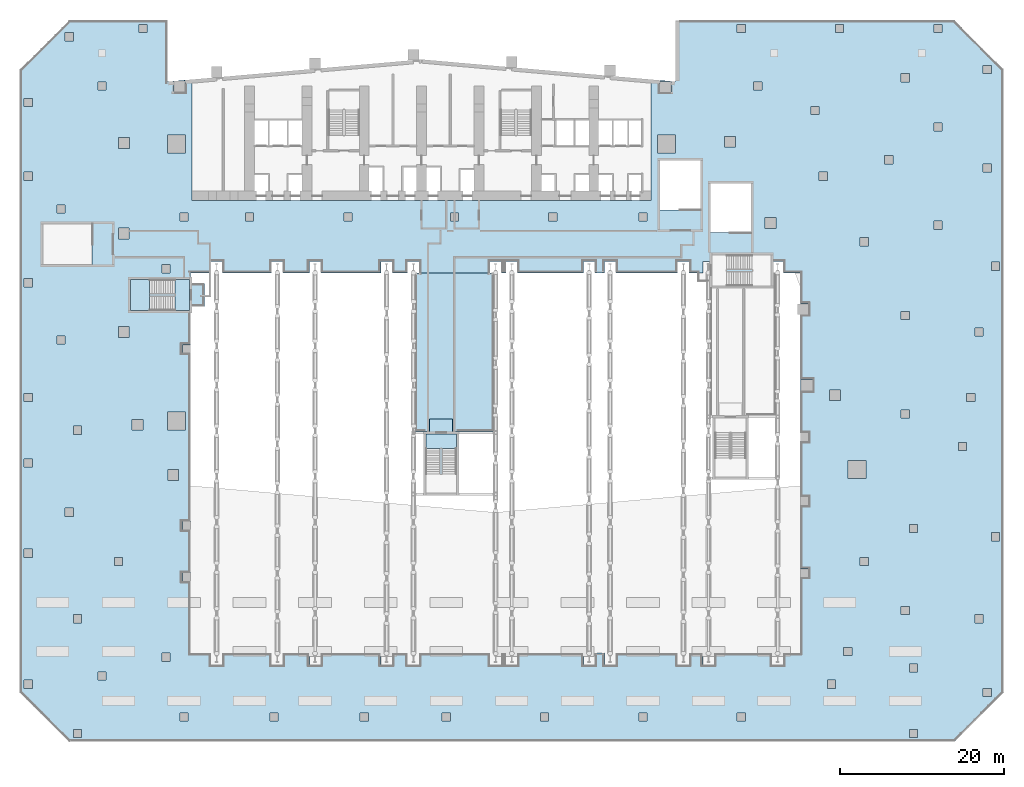
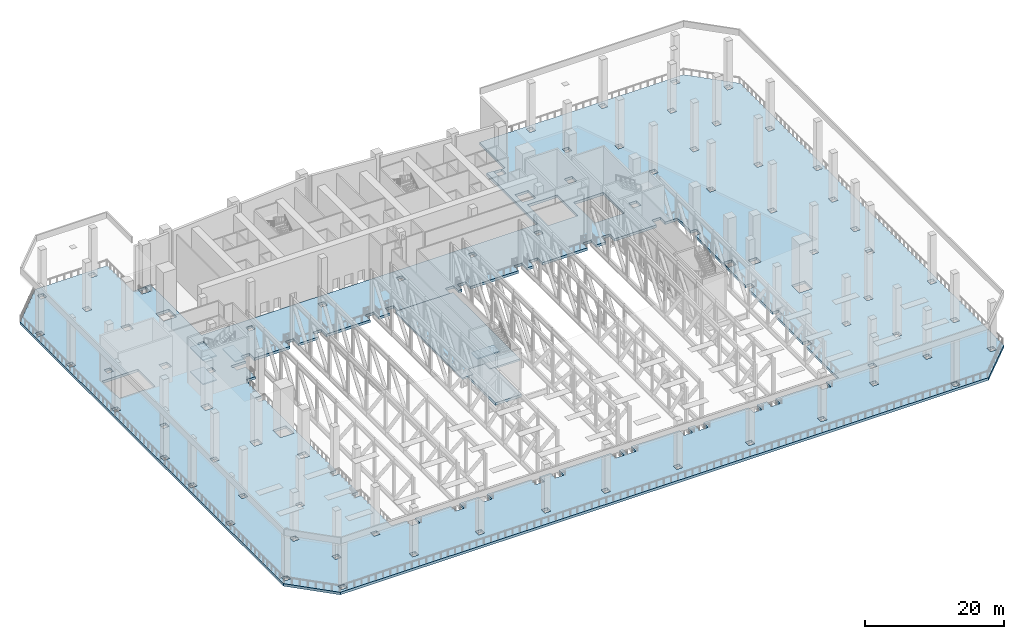
# One storey, part 7 of 33: 7 slabs, 2 elements without a shape of their own.
"""IFC4 building model written with IfcOpenShell, lengths in metres."""

from ifc_helpers import new_model, si_unit, direction, frame, origin, place, context, subcontext, project, spatial, polyline, outline, extrude, material, layer, layer_set, type_object, element, aggregate, save


model = new_model("IFC4")

# Units and contexts
model_context = context("Model", 3, precision=1e-05, world=origin(), true_north=direction((0.0, 1.0)))
body_context = subcontext(model_context, "Body", "Model", "MODEL_VIEW")
ifc_project = project(units=[si_unit("LENGTHUNIT", "METRE"), si_unit("AREAUNIT", "SQUARE_METRE"), si_unit("VOLUMEUNIT", "CUBIC_METRE"), si_unit("PLANEANGLEUNIT", "RADIAN"), si_unit("MASSUNIT", "GRAM", prefix="KILO")], contexts=[model_context])

# Site, building, storey
site_placement = place(None, origin())
site = spatial("IfcSite", under=ifc_project, at=site_placement, CompositionType="ELEMENT")
building_placement = place(site_placement, origin())
building = spatial("IfcBuilding", under=site, at=building_placement, Name="Wharfspan Tower", CompositionType="ELEMENT")
storey_placement = place(building_placement, frame((0.0, 0.0, 33.0)))
storey = spatial("IfcBuildingStorey", under=building, at=storey_placement, Name="L05", CompositionType="ELEMENT", Elevation=33.0)

# Slabs
ifc_material_1 = material(Name="Concrete C35/45", Category="concrete")
ifc_layer_1 = layer(ifc_material_1, 0.300049)
ifc_layer_set_1 = layer_set([ifc_layer_1], Name="Concrete C35/45")
slab_type_1 = type_object("IfcSlabType", Name="Corridor floor slab 300", PredefinedType="FLOOR", material=ifc_layer_set_1)
slab_1_placement = place(storey_placement, frame((0.0, 0.0, -0.300049)))
element("IfcSlab", 1, at=slab_1_placement, inside=storey, type_object=slab_type_1, Name="Corridor floor PC4", PredefinedType="FLOOR", context=body_context, shape_type="SweptSolid", body=[
    extrude(outline(polyline([(36.199951, 25.199951), (45.842041, 25.199951), (45.842041, 5.860596), (41.560303, 5.860596), (41.560303, 5.86084), (41.560303, 5.861084), (41.560303, 5.861084), (41.560059, 5.861328), (41.560059, 5.861572), (41.560059, 5.861816), (41.559814, 5.861816), (41.559814, 5.862061), (41.55957, 5.862061), (41.559326, 5.862305), (41.559082, 5.862305), (41.559082, 5.862305), (41.558838, 5.862549), (41.558594, 5.862549), (41.558594, 5.862549), (41.55835, 5.862549), (40.7854, 5.862549), (40.7854, 7.360596), (40.7854, 7.36084), (40.7854, 7.361084), (40.785156, 7.361084), (40.785156, 7.361328), (40.785156, 7.361572), (40.784912, 7.361816), (40.784912, 7.361816), (40.784668, 7.362061), (40.784668, 7.362061), (40.784424, 7.362305), (40.78418, 7.362305), (40.78418, 7.362305), (40.783936, 7.362549), (40.783691, 7.362549), (40.783447, 7.362549), (40.783203, 7.362549), (37.983398, 7.362549), (37.983154, 7.362549), (37.98291, 7.362549), (37.982666, 7.362549), (37.982422, 7.362305), (37.982422, 7.362305), (37.982178, 7.362305), (37.981934, 7.362061), (37.981934, 7.362061), (37.981689, 7.361816), (37.981689, 7.361816), (37.981445, 7.361572), (37.981445, 7.361328), (37.981445, 7.361084), (37.981201, 7.361084), (37.981201, 7.36084), (37.981201, 7.360596), (37.981201, 5.862549), (37.208252, 5.862549), (37.208008, 5.862549), (37.208008, 5.862549), (37.207764, 5.862549), (37.20752, 5.862305), (37.20752, 5.862305), (37.207275, 5.862305), (37.207031, 5.862061), (37.206787, 5.862061), (37.206787, 5.861816), (37.206543, 5.861816), (37.206543, 5.861572), (37.206543, 5.861328), (37.206299, 5.861084), (37.206299, 5.861084), (37.206299, 5.86084), (37.206299, 5.860596), (36.199951, 5.860596), (36.199951, 25.199951)])), origin(), (0.0, 0.0, 1.0), 0.300049),
])
ifc_layer_2 = layer(ifc_material_1, 0.449951)
ifc_layer_set_2 = layer_set([ifc_layer_2], Name="Concrete C35/45")
slab_type_2 = type_object("IfcSlabType", Name="Podium deck 450", PredefinedType="FLOOR", material=ifc_layer_set_2)
slab_2_placement = place(storey_placement, frame((0.0, 0.0, -0.450195)))
element("IfcSlab", 2, at=slab_2_placement, inside=storey, type_object=slab_type_2, Name="Deck L05", PredefinedType="FLOOR", context=body_context, shape_type="SweptSolid", body=[
    extrude(outline(polyline([(6.0, 56.0), (6.0, 48.524902), (12.0, 49.049805), (12.0, 49.049805), (9.0, 48.787354), (9.0, 34.0), (65.0, 34.0), (65.0, 48.787354), (60.0, 49.224854), (60.0, 49.224854), (68.0, 48.524902), (68.0, 56.0), (102.0, 56.0), (108.0, 50.0), (108.0, -26.0), (102.0, -32.0), (-6.0, -32.0), (-12.0, -26.0), (-12.0, 50.0), (-6.0, 56.0), (6.0, 56.0)]), holes=[polyline([(8.800049, 25.199951), (11.300049, 25.199951), (11.300049, 26.600098), (12.699951, 26.600098), (12.699951, 25.199951), (18.690918, 25.199951), (18.690918, 26.600098), (20.091064, 26.600098), (20.091064, 25.199951), (23.300049, 25.199951), (23.300049, 26.600098), (24.699951, 26.600098), (24.699951, 25.199951), (32.023926, 25.199951), (32.023926, 26.600098), (33.424072, 26.600098), (33.424072, 25.199951), (35.300049, 25.199951), (35.300049, 26.600098), (36.699951, 26.600098), (36.699951, 25.199951), (45.342041, 25.199951), (45.342041, 26.600098), (46.741943, 26.600098), (46.741943, 25.199951), (47.300049, 25.199951), (47.300049, 26.600098), (48.699951, 26.600098), (48.699951, 25.199951), (56.741943, 25.199951), (56.741943, 26.600098), (58.14209, 26.600098), (58.14209, 25.199951), (59.300049, 25.199951), (59.300049, 26.600098), (60.699951, 26.600098), (60.699951, 25.199951), (68.241943, 25.199951), (68.241943, 26.600098), (69.64209, 26.600098), (69.64209, 25.199951), (71.300049, 25.199951), (71.300049, 26.600098), (72.699951, 26.600098), (72.699951, 25.199951), (79.741943, 25.199951), (79.741943, 26.600098), (81.14209, 26.600098), (81.14209, 25.199951), (83.199951, 25.199951), (83.199951, 21.428223), (84.166992, 21.428223), (84.166992, 20.108398), (83.199951, 20.108398), (83.199951, 5.639893), (84.199951, 5.639893), (84.199951, 4.639893), (83.199951, 4.639893), (83.199951, -2.139893), (84.199951, -2.139893), (84.199951, -3.139893), (83.199951, -3.139893), (83.199951, -10.919922), (84.199951, -10.919922), (84.199951, -11.919922), (83.199951, -11.919922), (83.199951, -21.199951), (81.14209, -21.199951), (81.14209, -22.600098), (79.741943, -22.600098), (79.741943, -21.199951), (72.699951, -21.199951), (72.699951, -22.600098), (71.300049, -22.600098), (71.300049, -21.199951), (69.64209, -21.199951), (69.64209, -22.600098), (68.241943, -22.600098), (68.241943, -21.199951), (60.699951, -21.199951), (60.699951, -22.600098), (59.300049, -22.600098), (59.300049, -21.199951), (58.14209, -21.199951), (58.14209, -22.600098), (56.741943, -22.600098), (56.741943, -21.199951), (48.699951, -21.199951), (48.699951, -22.600098), (47.300049, -22.600098), (47.300049, -21.199951), (46.741943, -21.199951), (46.741943, -22.600098), (45.342041, -22.600098), (45.342041, -21.199951), (36.699951, -21.199951), (36.699951, -22.600098), (35.300049, -22.600098), (35.300049, -21.199951), (33.424072, -21.199951), (33.424072, -22.600098), (32.023926, -22.600098), (32.023926, -21.199951), (24.699951, -21.199951), (24.699951, -22.600098), (23.300049, -22.600098), (23.300049, -21.199951), (20.091064, -21.199951), (20.091064, -22.600098), (18.690918, -22.600098), (18.690918, -21.199951), (12.699951, -21.199951), (12.699951, -22.600098), (11.300049, -22.600098), (11.300049, -21.199951), (8.800049, -21.199951), (8.800049, -12.419922), (7.800049, -12.419922), (7.800049, -11.419922), (8.800049, -11.419922), (8.800049, -6.139893), (7.800049, -6.139893), (7.800049, -5.139893), (8.800049, -5.139893), (8.800049, 15.419922), (7.800049, 15.419922), (7.800049, 16.419922), (8.800049, 16.419922), (8.800049, 20.324951), (9.0, 20.324951), (9.0, 21.100098), (10.5, 21.100098), (10.5, 23.899902), (9.0, 23.899902), (9.0, 24.675049), (8.800049, 24.675049), (8.800049, 25.199951)]), polyline([(-3.199951, 26.225098), (-3.199951, 31.175049), (-9.199951, 31.175049), (-9.199951, 26.225098), (-3.199951, 26.225098)]), polyline([(72.217529, 30.100098), (77.16748, 30.100098), (77.16748, 36.100098), (72.217529, 36.100098), (72.217529, 30.100098)]), polyline([(66.100098, 32.899902), (71.050049, 32.899902), (71.050049, 38.899902), (66.100098, 38.899902), (66.100098, 32.899902)]), polyline([(-5.5, -31.5), (-4.5, -31.5), (-4.5, -30.5), (-5.5, -30.5), (-5.5, -31.5)]), polyline([(-11.5, -24.5), (-11.5, -25.5), (-10.5, -25.5), (-10.5, -24.5), (-11.5, -24.5)]), polyline([(-2.5, -23.5), (-2.5, -24.5), (-1.5, -24.5), (-1.5, -23.5), (-2.5, -23.5)]), polyline([(5.300049, -21.199951), (5.300049, -22.199951), (6.300049, -22.199951), (6.300049, -21.199951), (5.300049, -21.199951)]), polyline([(-5.5, -16.5), (-5.5, -17.5), (-4.5, -17.5), (-4.5, -16.5), (-5.5, -16.5)]), polyline([(-0.5, -9.5), (-0.5, -10.5), (0.5, -10.5), (0.5, -9.5), (-0.5, -9.5)]), polyline([(-11.5, -8.5), (-11.5, -9.5), (-10.5, -9.5), (-10.5, -8.5), (-11.5, -8.5)]), polyline([(-6.5, -4.5), (-5.5, -4.5), (-5.5, -3.5), (-6.5, -3.5), (-6.5, -4.5)]), polyline([(6.034424, 1.188721), (6.034424, -0.131348), (7.354492, -0.131348), (7.354492, 1.188721), (6.034424, 1.188721)]), polyline([(-11.5, 2.5), (-11.5, 1.5), (-10.5, 1.5), (-10.5, 2.5), (-11.5, 2.5)]), polyline([(-5.5, 6.5), (-5.5, 5.5), (-4.5, 5.5), (-4.5, 6.5), (-5.5, 6.5)]), polyline([(1.671631, 7.327393), (1.671631, 6.007324), (2.991699, 6.007324), (2.991699, 7.327393), (1.671631, 7.327393)]), polyline([(6.0, 8.199951), (6.0, 6.0), (8.199951, 6.0), (8.199951, 8.199951), (6.0, 8.199951)]), polyline([(-11.5, 10.5), (-11.5, 9.5), (-10.5, 9.5), (-10.5, 10.5), (-11.5, 10.5)]), polyline([(-7.5, 16.5), (-6.5, 16.5), (-6.5, 17.5), (-7.5, 17.5), (-7.5, 16.5)]), polyline([(0.0, 18.659912), (0.0, 17.340088), (1.320068, 17.340088), (1.320068, 18.659912), (0.0, 18.659912)]), polyline([(-11.5, 24.5), (-11.5, 23.5), (-10.5, 23.5), (-10.5, 24.5), (-11.5, 24.5)]), polyline([(5.300049, 26.199951), (5.300049, 25.199951), (6.300049, 25.199951), (6.300049, 26.199951), (5.300049, 26.199951)]), polyline([(0.0, 30.659912), (0.0, 29.340088), (1.320068, 29.340088), (1.320068, 30.659912), (0.0, 30.659912)]), polyline([(7.5, 32.5), (7.5, 31.5), (8.5, 31.5), (8.5, 32.5), (7.5, 32.5)]), polyline([(-7.5, 33.5), (-7.5, 32.5), (-6.5, 32.5), (-6.5, 33.5), (-7.5, 33.5)]), polyline([(-11.5, 36.5), (-10.5, 36.5), (-10.5, 37.5), (-11.5, 37.5), (-11.5, 36.5)]), polyline([(6.0, 42.0), (6.0, 39.800049), (8.199951, 39.800049), (8.199951, 42.0), (6.0, 42.0)]), polyline([(0.024902, 41.694092), (0.024902, 40.374268), (1.344727, 40.374268), (1.344727, 41.694092), (0.024902, 41.694092)]), polyline([(-11.5, 46.5), (-11.5, 45.5), (-10.5, 45.5), (-10.5, 46.5), (-11.5, 46.5)]), polyline([(6.806396, 48.59375), (6.806396, 47.273682), (8.126465, 47.273682), (8.126465, 48.59375), (6.806396, 48.59375)]), polyline([(-2.5, 48.5), (-2.5, 47.5), (-1.5, 47.5), (-1.5, 48.5), (-2.5, 48.5)]), polyline([(-6.5, 54.5), (-6.5, 53.5), (-5.5, 53.5), (-5.5, 54.5), (-6.5, 54.5)]), polyline([(2.5, 54.5), (3.5, 54.5), (3.5, 55.5), (2.5, 55.5), (2.5, 54.5)]), polyline([(7.5, -28.5), (7.5, -29.5), (8.5, -29.5), (8.5, -28.5), (7.5, -28.5)]), polyline([(51.5, -28.5), (51.5, -29.5), (52.5, -29.5), (52.5, -28.5), (51.5, -28.5)]), polyline([(39.5, -28.5), (39.5, -29.5), (40.5, -29.5), (40.5, -28.5), (39.5, -28.5)]), polyline([(18.5, -28.5), (18.5, -29.5), (19.5, -29.5), (19.5, -28.5), (18.5, -28.5)]), polyline([(29.5, -28.5), (29.5, -29.5), (30.5, -29.5), (30.5, -28.5), (29.5, -28.5)]), polyline([(27.5, 32.5), (27.5, 31.5), (28.5, 31.5), (28.5, 32.5), (27.5, 32.5)]), polyline([(15.5, 32.5), (15.5, 31.5), (16.5, 31.5), (16.5, 32.5), (15.5, 32.5)]), polyline([(40.5, 32.5), (40.5, 31.5), (41.5, 31.5), (41.5, 32.5), (40.5, 32.5)]), polyline([(75.5, -28.5), (75.5, -29.5), (76.5, -29.5), (76.5, -28.5), (75.5, -28.5)]), polyline([(63.5, -28.5), (63.5, -29.5), (64.5, -29.5), (64.5, -28.5), (63.5, -28.5)]), polyline([(86.5, -24.5), (86.5, -25.5), (87.5, -25.5), (87.5, -24.5), (86.5, -24.5)]), polyline([(83.300049, 12.199951), (83.300049, 10.800049), (84.699951, 10.800049), (84.699951, 12.199951), (83.300049, 12.199951)]), polyline([(78.909424, 31.928223), (78.909424, 30.608398), (80.229492, 30.608398), (80.229492, 31.928223), (78.909424, 31.928223)]), polyline([(52.5, 31.5), (53.5, 31.5), (53.5, 32.5), (52.5, 32.5), (52.5, 31.5)]), polyline([(63.5, 32.5), (63.5, 31.5), (64.5, 31.5), (64.5, 32.5), (63.5, 32.5)]), polyline([(85.5, 37.5), (85.5, 36.5), (86.5, 36.5), (86.5, 37.5), (85.5, 37.5)]), polyline([(65.800049, 42.0), (65.800049, 39.800049), (68.0, 39.800049), (68.0, 42.0), (65.800049, 42.0)]), polyline([(73.974365, 41.856201), (73.974365, 40.536377), (75.294434, 40.536377), (75.294434, 41.856201), (73.974365, 41.856201)]), polyline([(84.5, 45.5), (84.5, 44.5), (85.5, 44.5), (85.5, 45.5), (84.5, 45.5)]), polyline([(66.087646, 48.575195), (66.087646, 47.255371), (67.407715, 47.255371), (67.407715, 48.575195), (66.087646, 48.575195)]), polyline([(77.5, 47.5), (78.5, 47.5), (78.5, 48.5), (77.5, 48.5), (77.5, 47.5)]), polyline([(75.5, 55.5), (75.5, 54.5), (76.5, 54.5), (76.5, 55.5), (75.5, 55.5)]), polyline([(96.5, -30.5), (96.5, -31.5), (97.5, -31.5), (97.5, -30.5), (96.5, -30.5)]), polyline([(105.5, -25.5), (105.5, -26.5), (106.5, -26.5), (106.5, -25.5), (105.5, -25.5)]), polyline([(96.5, -22.5), (96.5, -23.5), (97.5, -23.5), (97.5, -22.5), (96.5, -22.5)]), polyline([(88.5, -20.5), (88.5, -21.5), (89.5, -21.5), (89.5, -20.5), (88.5, -20.5)]), polyline([(104.5, -17.5), (105.5, -17.5), (105.5, -16.5), (104.5, -16.5), (104.5, -17.5)]), polyline([(95.5, -15.5), (95.5, -16.5), (96.5, -16.5), (96.5, -15.5), (95.5, -15.5)]), polyline([(90.5, -9.5), (90.5, -10.5), (91.5, -10.5), (91.5, -9.5), (90.5, -9.5)]), polyline([(106.5, -6.5), (106.5, -7.5), (107.5, -7.5), (107.5, -6.5), (106.5, -6.5)]), polyline([(96.5, -5.5), (96.5, -6.5), (97.5, -6.5), (97.5, -5.5), (96.5, -5.5)]), polyline([(88.996582, 2.299805), (88.996582, 0.099609), (91.196533, 0.099609), (91.196533, 2.299805), (88.996582, 2.299805)]), polyline([(102.5, 4.5), (102.5, 3.5), (103.5, 3.5), (103.5, 4.5), (102.5, 4.5)]), polyline([(95.5, 7.5), (96.5, 7.5), (96.5, 8.5), (95.5, 8.5), (95.5, 7.5)]), polyline([(103.5, 10.5), (103.5, 9.5), (104.5, 9.5), (104.5, 10.5), (103.5, 10.5)]), polyline([(86.784424, 10.928223), (86.784424, 9.608398), (88.104492, 9.608398), (88.104492, 10.928223), (86.784424, 10.928223)]), polyline([(104.5, 18.5), (104.5, 17.5), (105.5, 17.5), (105.5, 18.5), (104.5, 18.5)]), polyline([(95.5, 20.5), (95.5, 19.5), (96.5, 19.5), (96.5, 20.5), (95.5, 20.5)]), polyline([(106.5, 26.5), (106.5, 25.5), (107.5, 25.5), (107.5, 26.5), (106.5, 26.5)]), polyline([(90.5, 29.5), (90.5, 28.5), (91.5, 28.5), (91.5, 29.5), (90.5, 29.5)]), polyline([(99.5, 31.5), (99.5, 30.5), (100.5, 30.5), (100.5, 31.5), (99.5, 31.5)]), polyline([(105.5, 38.5), (105.5, 37.5), (106.5, 37.5), (106.5, 38.5), (105.5, 38.5)]), polyline([(93.5, 39.5), (93.5, 38.5), (94.5, 38.5), (94.5, 39.5), (93.5, 39.5)]), polyline([(99.5, 43.5), (99.5, 42.5), (100.5, 42.5), (100.5, 43.5), (99.5, 43.5)]), polyline([(95.5, 49.5), (95.5, 48.5), (96.5, 48.5), (96.5, 49.5), (95.5, 49.5)]), polyline([(105.5, 50.5), (105.5, 49.5), (106.5, 49.5), (106.5, 50.5), (105.5, 50.5)]), polyline([(99.5, 55.5), (99.5, 54.5), (100.5, 54.5), (100.5, 55.5), (99.5, 55.5)]), polyline([(87.5, 55.5), (87.5, 54.5), (88.5, 54.5), (88.5, 55.5), (87.5, 55.5)])]), origin(), (0.0, 0.0, 1.0), 0.450195),
])
ifc_material_2 = material(Name="Concrete C40/50", Category="concrete")
ifc_layer_3 = layer(ifc_material_2, 0.449951)
ifc_layer_set_3 = layer_set([ifc_layer_3], Name="Concrete C40/50")
slab_type_3 = type_object("IfcSlabType", Name="Post-tensioned flat slab 450", PredefinedType="FLOOR", material=ifc_layer_set_3)
slab_3_placement = place(storey_placement, frame((0.0, 0.0, -0.450195)))
element("IfcSlab", 3, at=slab_3_placement, inside=storey, type_object=slab_type_3, Name="Core floor slab L05 part 2", PredefinedType="FLOOR", context=body_context, shape_type="SweptSolid", body=[
    extrude(outline(polyline([(37.983398, 5.860596), (37.208252, 5.860596), (37.208252, -1.939453), (41.55835, -1.939453), (41.55835, 5.860596), (40.783203, 5.860596), (40.783203, 7.360596), (37.983398, 7.360596), (37.983398, 5.860596)])), origin(), (0.0, 0.0, 1.0), 0.450195),
])

# Stair, slabs
stair_type = type_object("IfcStairType", Name="Half-turn stair 48 risers 177 mm", PredefinedType="HALF_TURN_STAIR", material=ifc_material_2)
stair_1_placement = place(storey_placement, origin())
stair_1 = element("IfcStair", 4, at=stair_1_placement, inside=storey, type_object=stair_type, Name="L05 stair ST3", PredefinedType="HALF_TURN_STAIR")
ifc_layer_4 = layer(ifc_material_2, 0.199951)
ifc_layer_set_4 = layer_set([ifc_layer_4], Name="Concrete C40/50")
slab_type_4 = type_object("IfcSlabType", Name="Stair landing 200", PredefinedType="LANDING", material=ifc_layer_set_4)
slab_4_placement = place(storey_placement, frame((0.0, 0.0, 1.924805)))
slab_4 = element("IfcSlab", 5, at=slab_4_placement, type_object=slab_type_4, Name="ST3 landing 1", PredefinedType="LANDING", context=body_context, shape_type="SweptSolid", body=[
    extrude(outline(polyline([(3.820068, 24.375), (1.5, 24.375), (1.5, 20.625), (3.820068, 20.625), (3.820068, 24.375)])), origin(), (0.0, 0.0, 1.0), 0.200195),
])
slab_5_placement = place(storey_placement, frame((0.0, 0.0, 4.049805)))
slab_5 = element("IfcSlab", 6, at=slab_5_placement, type_object=slab_type_4, Name="ST3 landing 2", PredefinedType="LANDING", context=body_context, shape_type="SweptSolid", body=[
    extrude(outline(polyline([(8.699951, 24.375), (6.899902, 24.375), (6.899902, 20.625), (8.699951, 20.625), (8.699951, 24.375)])), origin(), (0.0, 0.0, 1.0), 0.200195),
])
slab_6_placement = place(storey_placement, frame((0.0, 0.0, 6.174805)))
slab_6 = element("IfcSlab", 7, at=slab_6_placement, type_object=slab_type_4, Name="ST3 landing 3", PredefinedType="LANDING", context=body_context, shape_type="SweptSolid", body=[
    extrude(outline(polyline([(3.820068, 24.375), (1.5, 24.375), (1.5, 20.625), (3.820068, 20.625), (3.820068, 24.375)])), origin(), (0.0, 0.0, 1.0), 0.200195),
])
aggregate(stair_1, [slab_4, slab_5, slab_6])

# Stair, slab
stair_2_placement = place(storey_placement, origin())
stair_2 = element("IfcStair", 8, at=stair_2_placement, inside=storey, type_object=stair_type, Name="L05 stair ST4", PredefinedType="HALF_TURN_STAIR")
slab_7_placement = place(storey_placement, frame((0.0, 0.0, 4.049805)))
slab_7 = element("IfcSlab", 9, at=slab_7_placement, type_object=slab_type_4, Name="ST4 landing 2", PredefinedType="LANDING", context=body_context, shape_type="SweptSolid", body=[
    extrude(outline(polyline([(37.508301, 5.560547), (37.508301, 3.760498), (41.258301, 3.760498), (41.258301, 5.560547), (37.508301, 5.560547)])), origin(), (0.0, 0.0, 1.0), 0.200195),
])
aggregate(stair_2, [slab_7])

save(model, "model.ifc")
